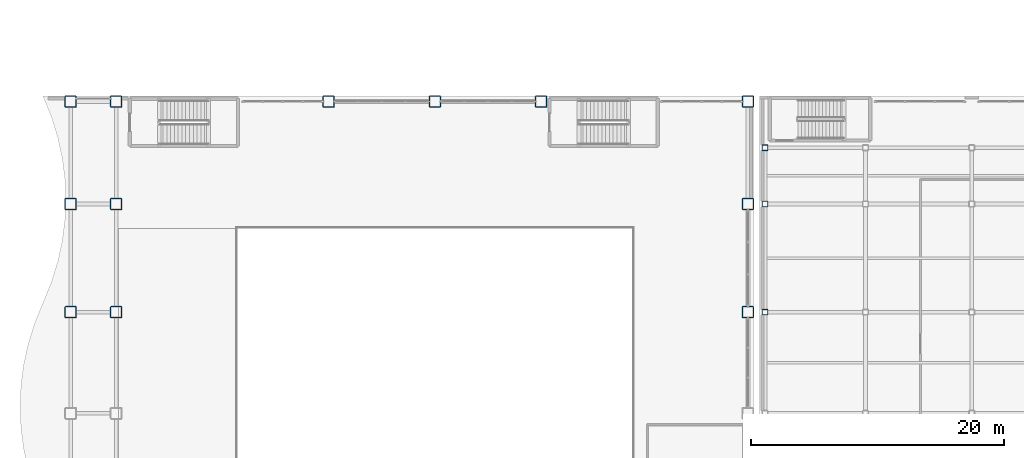
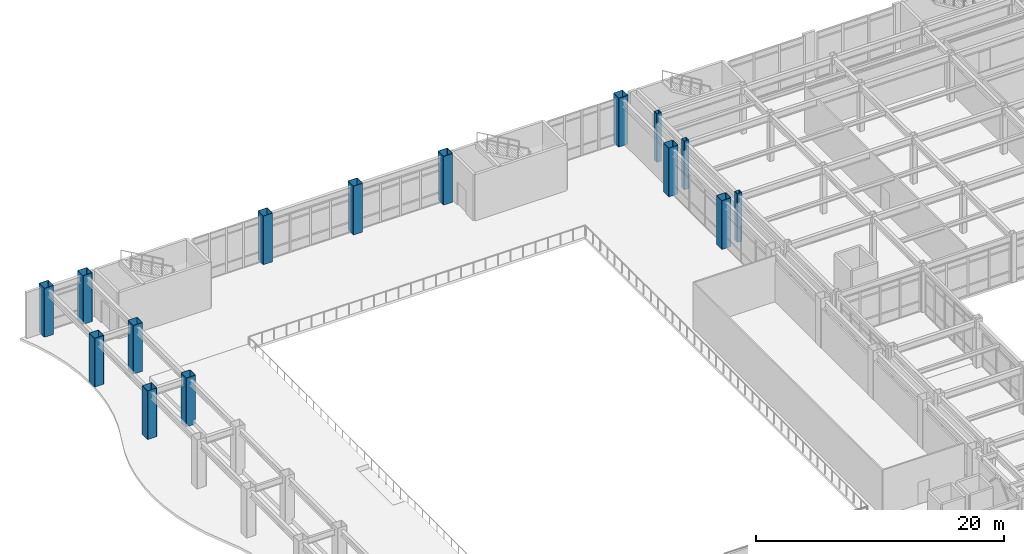
# One storey, part 4 of 172: 15 columns.
"""IFC4 building model written with IfcOpenShell, lengths in metres."""

from ifc_helpers import new_model, si_unit, direction, frame, origin, origin_2d, place, context, subcontext, project, spatial, hollow_rectangle, extrude, material, material_profile, profile_set, type_object, element, save


model = new_model("IFC4")

# Units and contexts
model_context = context("Model", 3, precision=1e-05, world=origin(), true_north=direction((0.0, 1.0)))
body_context = subcontext(model_context, "Body", "Model", "MODEL_VIEW")
ifc_project = project(units=[si_unit("LENGTHUNIT", "METRE"), si_unit("AREAUNIT", "SQUARE_METRE"), si_unit("VOLUMEUNIT", "CUBIC_METRE"), si_unit("PLANEANGLEUNIT", "RADIAN"), si_unit("MASSUNIT", "GRAM", prefix="KILO")], contexts=[model_context])

# Site, building, storey
site_placement = place(None, origin())
site = spatial("IfcSite", under=ifc_project, at=site_placement, CompositionType="ELEMENT")
building_placement = place(site_placement, origin())
building = spatial("IfcBuilding", under=site, at=building_placement, Name="Kazehara Bluff Congress Hotel", CompositionType="ELEMENT")
storey_placement = place(building_placement, frame((0.0, 0.0, 5.39990234375)))
storey = spatial("IfcBuildingStorey", under=building, at=storey_placement, Name="L01", CompositionType="ELEMENT", Elevation=5.39990234375)

# Columns
ifc_material_1 = material(Name="Steel BCR295", Category="steel")
ifc_material_profile_1 = material_profile(ifc_material_1, hollow_rectangle(XDim=0.89990234375, YDim=0.89990234375, WallThickness=0.031982421875, InnerFilletRadius=0.031982421875, OuterFilletRadius=0.06396484375, at=origin_2d()))
ifc_profile_set_1 = profile_set([ifc_material_profile_1], Name="Steel BCR295")
column_type_1 = type_object("IfcColumnType", Name="TP-C-01", PredefinedType="COLUMN", material=ifc_profile_set_1)
for number, where, z_axis, x_axis, name in (
    (1, (4.800048828125, 96.89990234375, 0.0), (0.0, 0.0, 1.0), (1.0, 0.0, 0.0), "L01 mega-column C-01 (4.80,96.90)"),
    (2, (4.800048828125, 105.449951171875, 0.0), (0.0, 0.0, 1.0), (1.0, 0.0, 0.0), "L01 mega-column C-01 (4.80,105.45)"),
    (3, (4.800048828125, 113.550048828125, 0.0), (0.0, 0.0, 1.0), (1.0, 0.0, 0.0), "L01 mega-column C-01 (4.80,113.55)"),
    (4, (8.39990234375, 96.89990234375, 0.0), (0.0, 0.0, 1.0), (1.0, 0.0, 0.0), "L01 mega-column C-01 (8.40,96.90)"),
    (5, (8.39990234375, 105.449951171875, 0.0), (0.0, 0.0, 1.0), (1.0, 0.0, 0.0), "L01 mega-column C-01 (8.40,105.45)"),
    (6, (8.39990234375, 113.550048828125, 0.0), (0.0, 0.0, 1.0), (1.0, 0.0, 0.0), "L01 mega-column C-01 (8.40,113.55)"),
    (7, (25.199951171875, 113.550048828125, 0.0), (0.0, 0.0, 1.0), (1.0, 0.0, 0.0), "L01 mega-column C-01 (25.20,113.55)"),
    (8, (33.60009765625, 113.550048828125, 0.0), (0.0, 0.0, 1.0), (1.0, 0.0, 0.0), "L01 mega-column C-01 (33.60,113.55)"),
    (9, (42.0, 113.550048828125, 0.0), (0.0, 0.0, 1.0), (1.0, 0.0, 0.0), "L01 mega-column C-01 (42.00,113.55)"),
    (10, (58.35009765625, 96.89990234375, 0.0), (0.0, 0.0, 1.0), (1.0, 0.0, 0.0), "L01 mega-column C-01 (58.35,96.90)"),
    (11, (58.35009765625, 105.449951171875, 0.0), (0.0, 0.0, 1.0), (1.0, 0.0, 0.0), "L01 mega-column C-01 (58.35,105.45)"),
    (12, (58.35009765625, 113.550048828125, 0.0), (0.0, 0.0, 1.0), (1.0, 0.0, 0.0), "L01 mega-column C-01 (58.35,113.55)"),
):
    element("IfcColumn", number, at=place(storey_placement, frame(where, z_axis=z_axis, x_axis=x_axis)), inside=storey, type_object=column_type_1, Name=name, PredefinedType="COLUMN", context=body_context, shape_type="SweptSolid", body=[
        extrude(hollow_rectangle(XDim=0.89990234375, YDim=0.89990234375, WallThickness=0.031982421875, InnerFilletRadius=0.031982421875, OuterFilletRadius=0.06396484375, at=origin_2d()), origin(), (0.0, 0.0, 1.0), 4.800048828125),
    ])
ifc_material_2 = material(Name="Steel BCR295", Category="steel")
ifc_material_profile_2 = material_profile(ifc_material_2, hollow_rectangle(XDim=0.449951171875, YDim=0.449951171875, WallThickness=0.01904296875, InnerFilletRadius=0.01904296875, OuterFilletRadius=0.0380859375, at=origin_2d()))
ifc_profile_set_2 = profile_set([ifc_material_profile_2], Name="Steel BCR295")
column_type_2 = type_object("IfcColumnType", Name="TP-C-08", PredefinedType="COLUMN", material=ifc_profile_set_2)
for number, where, z_axis, x_axis, name in (
    (13, (59.699951171875, 96.89990234375, 0.0), (0.0, 0.0, 1.0), (1.0, 0.0, 0.0), "L01 column C-08 (59.70,96.90)"),
    (14, (59.699951171875, 105.449951171875, 0.0), (0.0, 0.0, 1.0), (1.0, 0.0, 0.0), "L01 column C-08 (59.70,105.45)"),
    (15, (59.699951171875, 109.89990234375, 0.0), (0.0, 0.0, 1.0), (1.0, 0.0, 0.0), "L01 column C-08 (59.70,109.90)"),
):
    element("IfcColumn", number, at=place(storey_placement, frame(where, z_axis=z_axis, x_axis=x_axis)), inside=storey, type_object=column_type_2, Name=name, PredefinedType="COLUMN", context=body_context, shape_type="SweptSolid", body=[
        extrude(hollow_rectangle(XDim=0.449951171875, YDim=0.449951171875, WallThickness=0.01904296875, InnerFilletRadius=0.01904296875, OuterFilletRadius=0.0380859375, at=origin_2d()), origin(), (0.0, 0.0, 1.0), 4.800048828125),
    ])

save(model, "model.ifc")
